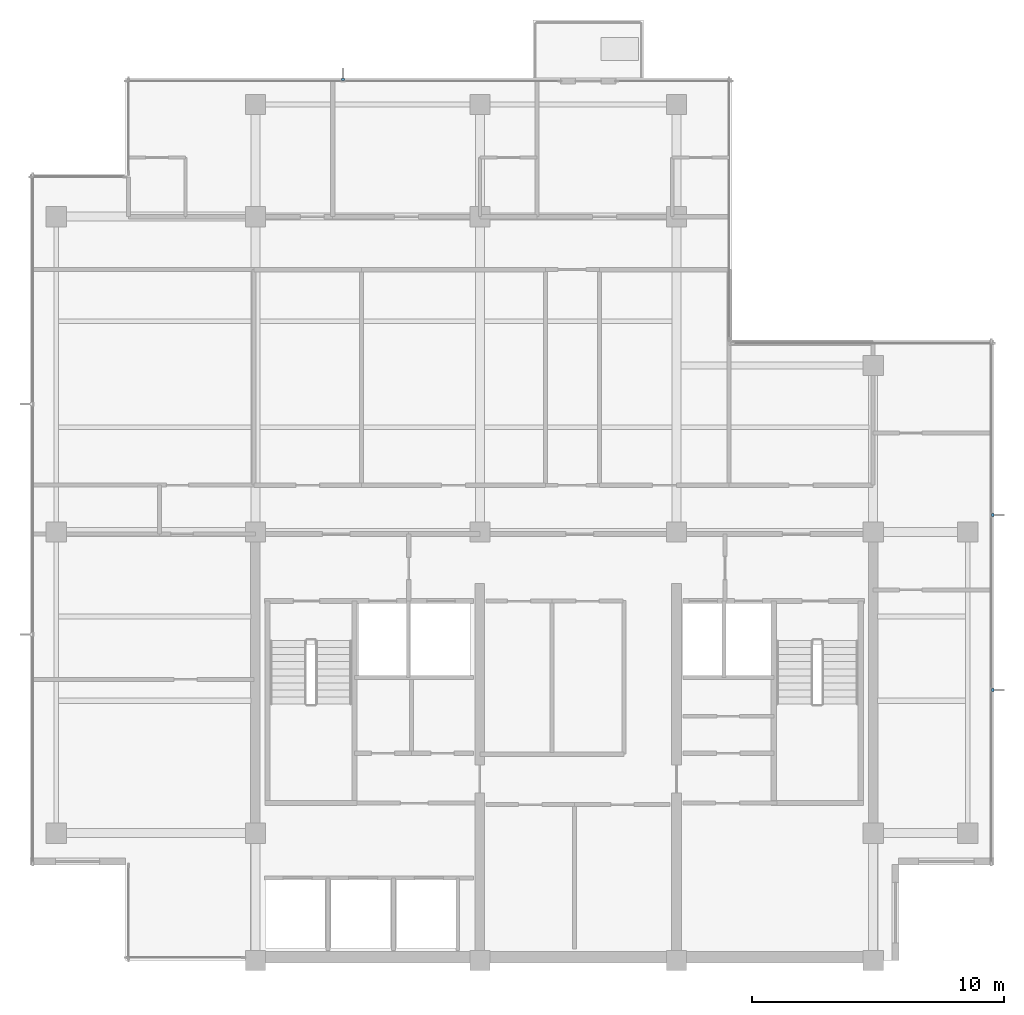
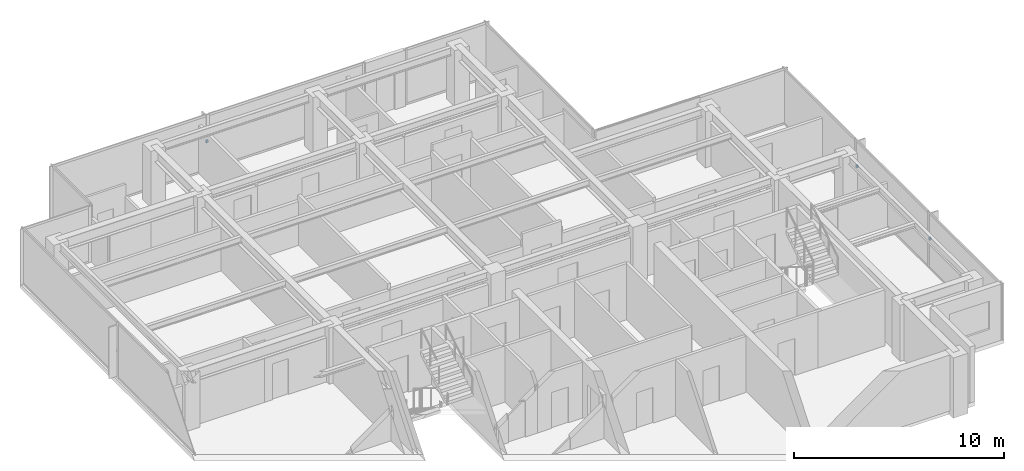
# One storey, part 10 of 11: 3 discrete accessories.
"""IFC4 building model written with IfcOpenShell, lengths in metres."""

from ifc_helpers import new_model, si_unit, direction, frame, origin, place, context, subcontext, project, spatial, polyline, outline, extrude, material, type_object, element, save


model = new_model("IFC4")

# Units and contexts
model_context = context("Model", 3, precision=1e-05, world=origin(), true_north=direction((0.0, 1.0)))
body_context = subcontext(model_context, "Body", "Model", "MODEL_VIEW")
ifc_project = project(units=[si_unit("LENGTHUNIT", "METRE"), si_unit("AREAUNIT", "SQUARE_METRE"), si_unit("VOLUMEUNIT", "CUBIC_METRE"), si_unit("PLANEANGLEUNIT", "RADIAN"), si_unit("MASSUNIT", "GRAM", prefix="KILO")], contexts=[model_context])

# Site, building, storey
site_placement = place(None, origin())
site = spatial("IfcSite", under=ifc_project, at=site_placement, CompositionType="ELEMENT")
building_placement = place(site_placement, origin())
building = spatial("IfcBuilding", under=site, at=building_placement, Name="Qalmaran Belvedere Hotel", CompositionType="ELEMENT")
storey_placement = place(building_placement, frame((0.0, 0.0, 242.39990234375)))
storey = spatial("IfcBuildingStorey", under=building, at=storey_placement, Name="L62", CompositionType="ELEMENT", Elevation=242.39990234375)

# Discrete accessories
ifc_material = material(Name="Stainless Steel 1.4401", Category="steel")
discrete_accessory_type = type_object("IfcDiscreteAccessoryType", Name="BRK-FIN-SS316", PredefinedType="BRACKET", material=ifc_material)
discrete_accessory_1_placement = place(storey_placement, frame((0.0, 0.0, 1.580078125)))
element("IfcDiscreteAccessory", 1, at=discrete_accessory_1_placement, inside=storey, type_object=discrete_accessory_type, Name="L62 Fin Bracket 1", PredefinedType="BRACKET", context=body_context, shape_type="SweptSolid", body=[
    extrude(outline(polyline([(49.4951171875, 14.17822265625), (49.58740234375, 14.17822265625), (49.58740234375, 14.288330078125), (49.4951171875, 14.288330078125), (49.4951171875, 14.17822265625)])), origin(), (0.0, 0.0, 1.0), 0.14013671875),
])
discrete_accessory_2_placement = place(storey_placement, frame((0.0, 0.0, 1.580078125)))
element("IfcDiscreteAccessory", 2, at=discrete_accessory_2_placement, inside=storey, type_object=discrete_accessory_type, Name="L62 Fin Bracket 2", PredefinedType="BRACKET", context=body_context, shape_type="SweptSolid", body=[
    extrude(outline(polyline([(49.4951171875, 21.11181640625), (49.58740234375, 21.11181640625), (49.58740234375, 21.2216796875), (49.4951171875, 21.2216796875), (49.4951171875, 21.11181640625)])), origin(), (0.0, 0.0, 1.0), 0.14013671875),
])
discrete_accessory_3_placement = place(storey_placement, frame((0.0, 0.0, 1.580078125)))
element("IfcDiscreteAccessory", 3, at=discrete_accessory_3_placement, inside=storey, type_object=discrete_accessory_type, Name="L62 Fin Bracket 1", PredefinedType="BRACKET", context=body_context, shape_type="SweptSolid", body=[
    extrude(outline(polyline([(23.830078125, 38.39501953125), (23.830078125, 38.487548828125), (23.719970703125, 38.487548828125), (23.719970703125, 38.39501953125), (23.830078125, 38.39501953125)])), origin(), (0.0, 0.0, 1.0), 0.14013671875),
])

save(model, "model.ifc")
